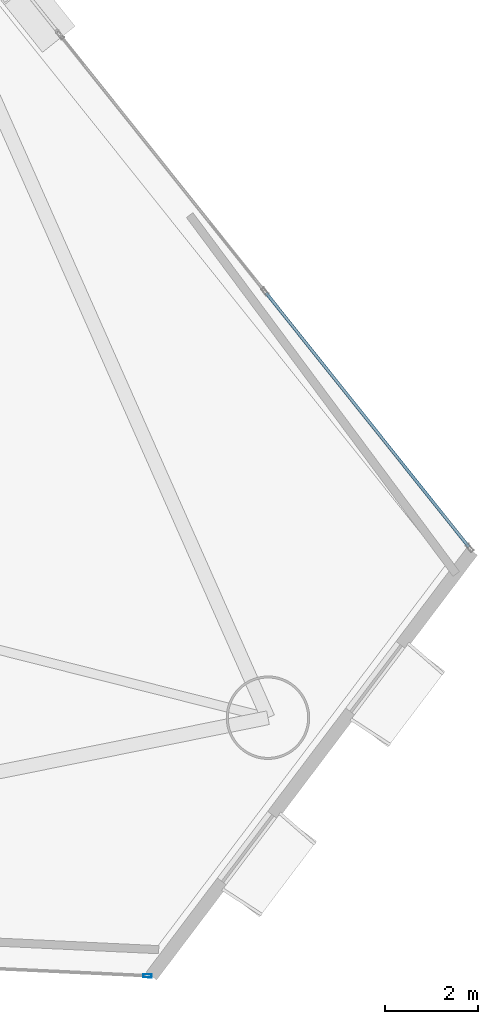
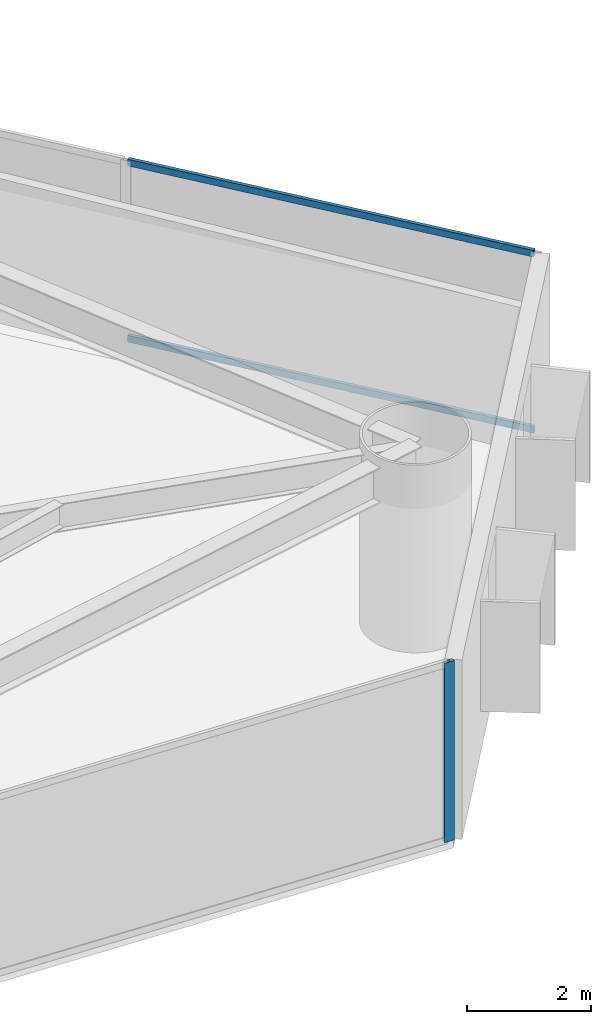
# One storey, part 12 of 23: 3 members, 2 elements without a shape of their own.
"""IFC4 building model written with IfcOpenShell, lengths in metres."""

from ifc_helpers import new_model, si_unit, direction, frame, origin, origin_2d, place, context, subcontext, project, spatial, hollow_rectangle, extrude, material, layer, layer_set, material_profile, profile_set, type_object, element, aggregate, save


model = new_model("IFC4")

# Units and contexts
model_context = context("Model", 3, precision=1e-05, world=origin(), true_north=direction((0.0, 1.0)))
body_context = subcontext(model_context, "Body", "Model", "MODEL_VIEW")
ifc_project = project(units=[si_unit("LENGTHUNIT", "METRE"), si_unit("AREAUNIT", "SQUARE_METRE"), si_unit("VOLUMEUNIT", "CUBIC_METRE"), si_unit("PLANEANGLEUNIT", "RADIAN"), si_unit("MASSUNIT", "GRAM", prefix="KILO")], contexts=[model_context])

# Site, building, storey
site_placement = place(None, origin())
site = spatial("IfcSite", under=ifc_project, at=site_placement, CompositionType="ELEMENT")
building_placement = place(site_placement, origin())
building = spatial("IfcBuilding", under=site, at=building_placement, Name="Qianvela Tower", CompositionType="ELEMENT")
storey_placement = place(building_placement, frame((0.0, 0.0, 36.800048828125)))
storey = spatial("IfcBuildingStorey", under=building, at=storey_placement, Name="L08", CompositionType="ELEMENT", Elevation=36.800048828125)

# Curtain wall, member
ifc_material_1 = material(Name="Anodised Architectural Aluminium and Low-E Glass", Category="aluminium")
ifc_layer = layer(ifc_material_1, 0.179931640625)
ifc_layer_set = layer_set([ifc_layer], Name="Anodised Architectural Aluminium and Low-E Glass")
curtain_wall_type = type_object("IfcCurtainWallType", Name="CW-COLIV-Z12", PredefinedType="USERDEFINED", material=ifc_layer_set)
curtain_wall_1_placement = place(storey_placement, origin())
curtain_wall_1 = element("IfcCurtainWall", 1, at=curtain_wall_1_placement, inside=storey, type_object=curtain_wall_type, Name="L08 CW-COLIV-Z12 Curtain Wall 06C", ObjectType="CURTAIN_WALL_SYSTEM", PredefinedType="USERDEFINED")
ifc_material_2 = material(Name="Anodised Architectural Aluminium 6063-T6", Category="aluminium")
ifc_material_profile_1 = material_profile(ifc_material_2, hollow_rectangle(XDim=0.070068359375, YDim=0.179931640625, WallThickness=0.0048828125, at=origin_2d()), Name="ALU-MULL-70x180")
ifc_profile_set_1 = profile_set([ifc_material_profile_1], Name="Anodised Architectural Aluminium 6063-T6")
member_type_1 = type_object("IfcMemberType", Name="CW-COLIV-Z12-MULL", PredefinedType="MULLION", material=ifc_profile_set_1)
member_1_placement = place(storey_placement, frame((51.914306640625, 11.75048828125, 0.0), z_axis=(0.0, 0.0, 1.0), x_axis=(0.046885698408, 0.998900260929, 0.0)))
member_1 = element("IfcMember", 2, at=member_1_placement, type_object=member_type_1, Name="CW-3 mullion 2", PredefinedType="MULLION", context=body_context, shape_type="SweptSolid", body=[
    extrude(hollow_rectangle(XDim=0.070068359375, YDim=0.179931640625, WallThickness=0.0048828125, at=origin_2d()), origin(), (0.0, 0.0, 1.0), 3.52001953125),
])
aggregate(curtain_wall_1, [member_1])

# Curtain wall, members
curtain_wall_2_placement = place(storey_placement, origin())
curtain_wall_2 = element("IfcCurtainWall", 3, at=curtain_wall_2_placement, inside=storey, type_object=curtain_wall_type, Name="L08 CW-COLIV-Z12 Curtain Wall 02A", ObjectType="CURTAIN_WALL_SYSTEM", PredefinedType="USERDEFINED")
ifc_material_3 = material(Name="Anodised Architectural Aluminium 6063-T6", Category="aluminium")
ifc_material_profile_2 = material_profile(ifc_material_3, hollow_rectangle(XDim=0.06494140625, YDim=0.1298828125, WallThickness=0.00439453125, at=origin_2d()), Name="ALU-TRAN-65x130")
ifc_profile_set_2 = profile_set([ifc_material_profile_2], Name="Anodised Architectural Aluminium 6063-T6")
member_type_2 = type_object("IfcMemberType", Name="CW-COLIV-Z12-TRAN", PredefinedType="USERDEFINED", material=ifc_profile_set_2)
member_2_placement = place(storey_placement, frame((58.842529296875, 21.0, 0.032470703125), z_axis=(-0.623959473553, 0.781456700888, 0.0), x_axis=(-0.781456700888, -0.623959473553, 0.0)))
member_2 = element("IfcMember", 4, at=member_2_placement, type_object=member_type_2, Name="CW-3 transom 1.1", ObjectType="TRANSOM", PredefinedType="USERDEFINED", context=body_context, shape_type="SweptSolid", body=[
    extrude(hollow_rectangle(XDim=0.06494140625, YDim=0.1298828125, WallThickness=0.00439453125, at=origin_2d()), origin(), (0.0, 0.0, 1.0), 7.005126953125),
])
member_3_placement = place(storey_placement, frame((58.842529296875, 21.0, 3.487548828125), z_axis=(-0.623959473553, 0.781456700888, 0.0), x_axis=(-0.781456700888, -0.623959473553, 0.0)))
member_3 = element("IfcMember", 5, at=member_3_placement, type_object=member_type_2, Name="CW-3 transom 1.2", ObjectType="TRANSOM", PredefinedType="USERDEFINED", context=body_context, shape_type="SweptSolid", body=[
    extrude(hollow_rectangle(XDim=0.06494140625, YDim=0.1298828125, WallThickness=0.00439453125, at=origin_2d()), origin(), (0.0, 0.0, 1.0), 7.005126953125),
])
aggregate(curtain_wall_2, [member_2, member_3])

save(model, "model.ifc")
